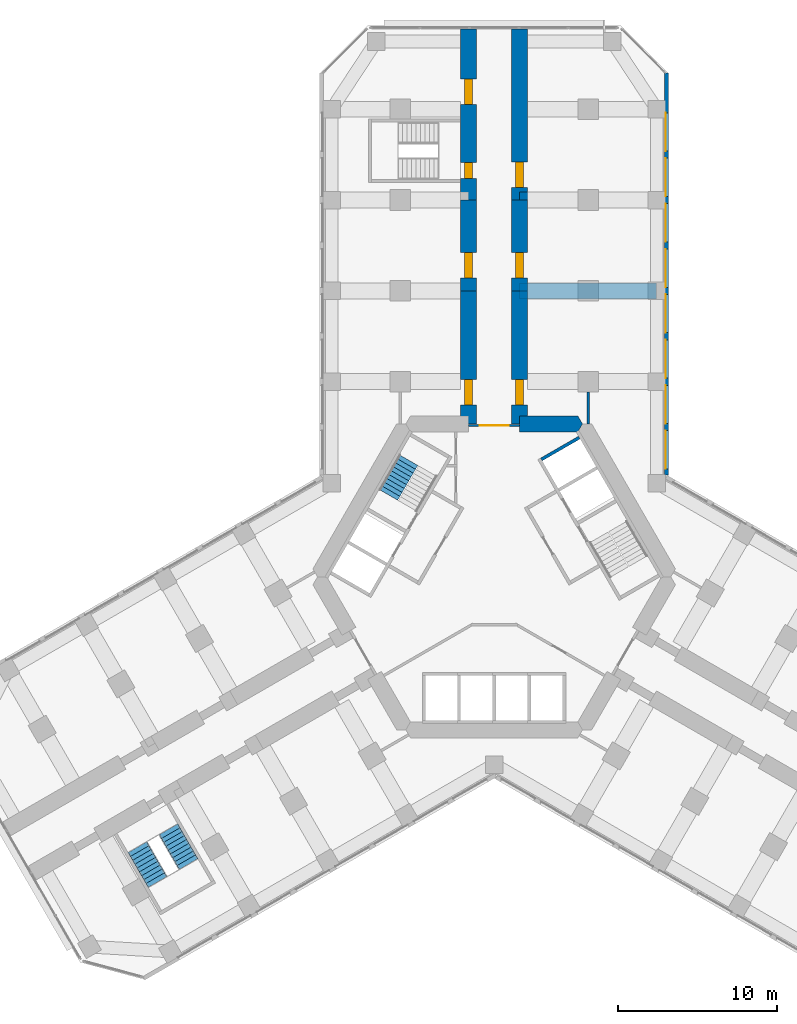
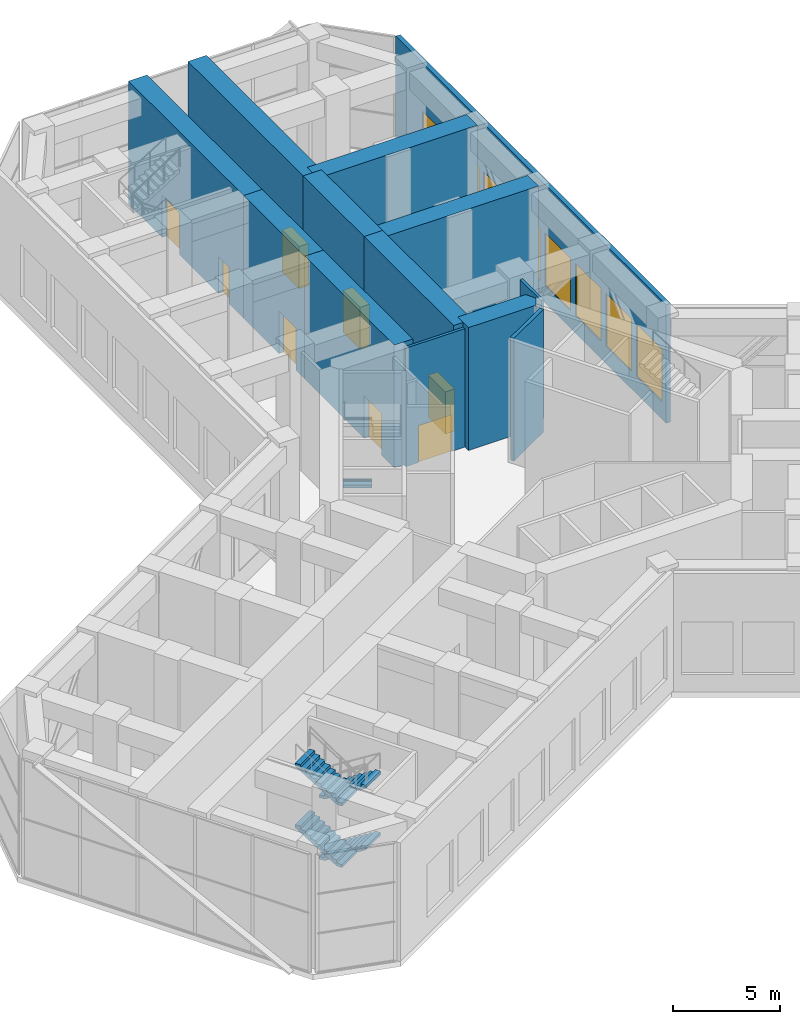
# One storey, part 14 of 17: 13 walls, 8 doors, 8 windows, 5 stair flights, 16 openings, 2 elements without a shape of their own.
"""IFC4 building model written with IfcOpenShell, lengths in metres."""

from ifc_helpers import new_model, si_unit, direction, frame, frame_2d, origin, place, context, subcontext, project, spatial, polyline, rectangle, outline, extrude, material, layer, layer_set, type_object, element, fill, aggregate, save


model = new_model("IFC4")

# Units and contexts
model_context = context("Model", 3, precision=1e-05, world=origin(), true_north=direction((0.0, 1.0)))
body_context = subcontext(model_context, "Body", "Model", "MODEL_VIEW")
ifc_project = project(units=[si_unit("LENGTHUNIT", "METRE"), si_unit("AREAUNIT", "SQUARE_METRE"), si_unit("VOLUMEUNIT", "CUBIC_METRE"), si_unit("PLANEANGLEUNIT", "RADIAN"), si_unit("MASSUNIT", "GRAM", prefix="KILO")], contexts=[model_context])

# Site, building, storey
site_placement = place(None, origin())
site = spatial("IfcSite", under=ifc_project, at=site_placement, CompositionType="ELEMENT")
building_placement = place(site_placement, origin())
building = spatial("IfcBuilding", under=site, at=building_placement, Name="Kosmar Iwan School Tower", CompositionType="ELEMENT")
storey_placement = place(building_placement, frame((0.0, 0.0, 32.39990234375)))
storey = spatial("IfcBuildingStorey", under=building, at=storey_placement, Name="L07", CompositionType="ELEMENT", Elevation=32.39990234375)

# Wall
ifc_material_1 = material(Name="Concrete C50/60", Category="concrete")
ifc_layer_1 = layer(ifc_material_1, 1.0)
ifc_layer_set_1 = layer_set([ifc_layer_1], Name="Core wall 1000")
wall_type_1 = type_object("IfcWallType", Name="Core wall 1000", PredefinedType="SHEAR", material=ifc_layer_set_1)
wall_1_placement = place(storey_placement, origin())
element("IfcWall", 1, at=wall_1_placement, inside=storey, type_object=wall_type_1, Name="Core wall F090a", PredefinedType="SHEAR", context=body_context, shape_type="SweptSolid", body=[
    extrude(outline(polyline([(1.60009765625, 9.10009765625), (5.25390625, 9.10009765625), (5.54248046875, 9.60009765625), (5.25390625, 10.10009765625), (1.60009765625, 10.10009765625), (1.60009765625, 9.10009765625)])), origin(), (0.0, 0.0, 1.0), 7.0),
])

# Wall, opening, door
ifc_material_2 = material(Name="Concrete C50/60", Category="concrete")
ifc_layer_2 = layer(ifc_material_2, 1.0)
ifc_layer_set_2 = layer_set([ifc_layer_2], Name="Corridor buttress wall 1000")
wall_type_2 = type_object("IfcWallType", Name="Corridor buttress wall 1000", PredefinedType="SHEAR", material=ifc_layer_set_2)
wall_2_placement = place(storey_placement, frame((-1.60009765625, 9.60009765625, 0.0), z_axis=(0.0, 0.0, 1.0), x_axis=(0.0, 1.0, 0.0)))
wall_2 = element("IfcWall", 2, at=wall_2_placement, inside=storey, type_object=wall_type_2, Name="Corridor wall AL", PredefinedType="SHEAR", context=body_context, shape_type="SweptSolid", body=[
    extrude(rectangle(XDim=8.349853515625, YDim=1.0, at=frame_2d((4.1748046875, 0.0))), origin(), (0.0, 0.0, 1.0), 7.0),
])
opening_1_placement = place(wall_2_placement, frame((1.199951171875, 0.0, 0.0)))
opening_1 = element("IfcOpeningElement", 3, at=opening_1_placement, cuts=wall_2, Name="Opening D5", PredefinedType="OPENING", context=body_context, shape_type="SweptSolid", body=[
    extrude(rectangle(XDim=1.60009765625, YDim=2.39990234375, at=frame_2d((0.800048828125, 1.199951171875))), frame((0.0, 0.511962890625, 0.0), z_axis=(0.0, -1.0, 0.0), x_axis=(1.0, 0.0, 0.0)), (0.0, 0.0, 1.0), 1.02392578125),
])
ifc_material_3 = material(Name="Steel fire door", Category="steel")
door_type_1 = type_object("IfcDoorType", Name="Plant room door pair 1600x2400", OperationType="DOUBLE_DOOR_SINGLE_SWING", PredefinedType="DOOR", material=ifc_material_3)
door_1_placement = place(opening_1_placement, origin())
door_1 = element("IfcDoor", 4, at=door_1_placement, inside=storey, type_object=door_type_1, Name="Refuge area door L07-AL1", OperationType="DOUBLE_DOOR_SINGLE_SWING", OverallHeight=2.39990234375, OverallWidth=1.60009765625, PredefinedType="DOOR", context=body_context, shape_type="SweptSolid", body=[
    extrude(rectangle(XDim=1.60009765625, YDim=2.39990234375, at=frame_2d((0.800048828125, 1.199951171875))), frame((0.0, 0.25, 0.0), z_axis=(0.0, -1.0, 0.0), x_axis=(1.0, 0.0, 0.0)), (0.0, 0.0, 1.0), 0.5),
])
fill(opening_1, door_1)

wall_3_placement = place(storey_placement, frame((-1.60009765625, 17.949951171875, 0.0), z_axis=(0.0, 0.0, 1.0), x_axis=(0.0, 1.0, 0.0)))
wall_3 = element("IfcWall", 5, at=wall_3_placement, inside=storey, type_object=wall_type_2, Name="Corridor wall AL bay 2", PredefinedType="SHEAR", context=body_context, shape_type="SweptSolid", body=[
    extrude(rectangle(XDim=5.699951171875, YDim=1.0, at=frame_2d((2.85009765625, 0.0))), origin(), (0.0, 0.0, 1.0), 7.0),
])
opening_2_placement = place(wall_3_placement, frame((0.800048828125, 0.0, 0.0)))
opening_2 = element("IfcOpeningElement", 6, at=opening_2_placement, cuts=wall_3, Name="Opening D5", PredefinedType="OPENING", context=body_context, shape_type="SweptSolid", body=[
    extrude(rectangle(XDim=1.60009765625, YDim=2.39990234375, at=frame_2d((0.800048828125, 1.199951171875))), frame((0.0, 0.511962890625, 0.0), z_axis=(0.0, -1.0, 0.0), x_axis=(1.0, 0.0, 0.0)), (0.0, 0.0, 1.0), 1.02392578125),
])
door_2_placement = place(opening_2_placement, origin())
door_2 = element("IfcDoor", 7, at=door_2_placement, inside=storey, type_object=door_type_1, Name="Heat exchanger room door L07-AL2", OperationType="DOUBLE_DOOR_SINGLE_SWING", OverallHeight=2.39990234375, OverallWidth=1.60009765625, PredefinedType="DOOR", context=body_context, shape_type="SweptSolid", body=[
    extrude(rectangle(XDim=1.60009765625, YDim=2.39990234375, at=frame_2d((0.800048828125, 1.199951171875))), frame((0.0, 0.25, 0.0), z_axis=(0.0, -1.0, 0.0), x_axis=(1.0, 0.0, 0.0)), (0.0, 0.0, 1.0), 0.5),
])
fill(opening_2, door_2)

# Wall, openings, doors
wall_4_placement = place(storey_placement, frame((-1.60009765625, 23.64990234375, 0.0), z_axis=(0.0, 0.0, 1.0), x_axis=(0.0, 1.0, 0.0)))
wall_4 = element("IfcWall", 8, at=wall_4_placement, inside=storey, type_object=wall_type_2, Name="Corridor wall AL bay 3", PredefinedType="SHEAR", context=body_context, shape_type="SweptSolid", body=[
    extrude(rectangle(XDim=10.7451171875, YDim=1.0, at=frame_2d((5.37255859375, 0.0))), origin(), (0.0, 0.0, 1.0), 7.0),
])
opening_3_placement = place(wall_4_placement, frame((6.0, 0.0, 0.0)))
opening_3 = element("IfcOpeningElement", 9, at=opening_3_placement, cuts=wall_4, Name="Opening D5", PredefinedType="OPENING", context=body_context, shape_type="SweptSolid", body=[
    extrude(rectangle(XDim=1.60009765625, YDim=2.39990234375, at=frame_2d((0.800048828125, 1.199951171875))), frame((0.0, 0.511962890625, 0.0), z_axis=(0.0, -1.0, 0.0), x_axis=(1.0, 0.0, 0.0)), (0.0, 0.0, 1.0), 1.02392578125),
])
opening_4_placement = place(wall_4_placement, frame((1.35009765625, 0.0, 0.0)))
opening_4 = element("IfcOpeningElement", 10, at=opening_4_placement, cuts=wall_4, Name="Opening D6", PredefinedType="OPENING", context=body_context, shape_type="SweptSolid", body=[
    extrude(rectangle(XDim=1.0, YDim=2.10009765625, at=frame_2d((0.5, 1.050048828125))), frame((0.0, 0.511962890625, 0.0), z_axis=(0.0, -1.0, 0.0), x_axis=(1.0, 0.0, 0.0)), (0.0, 0.0, 1.0), 1.02392578125),
])
door_3_placement = place(opening_3_placement, origin())
door_3 = element("IfcDoor", 11, at=door_3_placement, inside=storey, type_object=door_type_1, Name="Pump room door L07-AL3", OperationType="DOUBLE_DOOR_SINGLE_SWING", OverallHeight=2.39990234375, OverallWidth=1.60009765625, PredefinedType="DOOR", context=body_context, shape_type="SweptSolid", body=[
    extrude(rectangle(XDim=1.60009765625, YDim=2.39990234375, at=frame_2d((0.800048828125, 1.199951171875))), frame((0.0, 0.25, 0.0), z_axis=(0.0, -1.0, 0.0), x_axis=(1.0, 0.0, 0.0)), (0.0, 0.0, 1.0), 0.5),
])
fill(opening_3, door_3)
ifc_material_4 = material(Name="Steel fire door", Category="steel")
door_type_2 = type_object("IfcDoorType", Name="Stair door 1000x2100", OperationType="SINGLE_SWING_LEFT", PredefinedType="DOOR", material=ifc_material_4)
door_4_placement = place(opening_4_placement, origin())
door_4 = element("IfcDoor", 12, at=door_4_placement, inside=storey, type_object=door_type_2, Name="Stair WS1 door L07", OperationType="SINGLE_SWING_LEFT", OverallHeight=2.10009765625, OverallWidth=1.0, PredefinedType="DOOR", context=body_context, shape_type="SweptSolid", body=[
    extrude(rectangle(XDim=1.0, YDim=2.10009765625, at=frame_2d((0.5, 1.050048828125))), frame((0.0, 0.25, 0.0), z_axis=(0.0, -1.0, 0.0), x_axis=(1.0, 0.0, 0.0)), (0.0, 0.0, 1.0), 0.5),
])
fill(opening_4, door_4)

# Wall, opening, door
wall_5_placement = place(storey_placement, frame((1.60009765625, 9.60009765625, 0.0), z_axis=(0.0, 0.0, 1.0), x_axis=(0.0, 1.0, 0.0)))
wall_5 = element("IfcWall", 13, at=wall_5_placement, inside=storey, type_object=wall_type_2, Name="Corridor wall AR", PredefinedType="SHEAR", context=body_context, shape_type="SweptSolid", body=[
    extrude(rectangle(XDim=8.349853515625, YDim=1.0, at=frame_2d((4.1748046875, 0.0))), origin(), (0.0, 0.0, 1.0), 7.0),
])
opening_5_placement = place(wall_5_placement, frame((1.199951171875, 0.0, 0.0)))
opening_5 = element("IfcOpeningElement", 14, at=opening_5_placement, cuts=wall_5, Name="Opening D5", PredefinedType="OPENING", context=body_context, shape_type="SweptSolid", body=[
    extrude(rectangle(XDim=1.60009765625, YDim=2.39990234375, at=frame_2d((0.800048828125, 1.199951171875))), frame((0.0, 0.511962890625, 0.0), z_axis=(0.0, -1.0, 0.0), x_axis=(1.0, 0.0, 0.0)), (0.0, 0.0, 1.0), 1.02392578125),
])
door_5_placement = place(opening_5_placement, origin())
door_5 = element("IfcDoor", 15, at=door_5_placement, inside=storey, type_object=door_type_1, Name="Refuge area door L07-AR1", OperationType="DOUBLE_DOOR_SINGLE_SWING", OverallHeight=2.39990234375, OverallWidth=1.60009765625, PredefinedType="DOOR", context=body_context, shape_type="SweptSolid", body=[
    extrude(rectangle(XDim=1.60009765625, YDim=2.39990234375, at=frame_2d((0.800048828125, 1.199951171875))), frame((0.0, 0.25, 0.0), z_axis=(0.0, -1.0, 0.0), x_axis=(1.0, 0.0, 0.0)), (0.0, 0.0, 1.0), 0.5),
])
fill(opening_5, door_5)

wall_6_placement = place(storey_placement, frame((1.60009765625, 17.949951171875, 0.0), z_axis=(0.0, 0.0, 1.0), x_axis=(0.0, 1.0, 0.0)))
wall_6 = element("IfcWall", 16, at=wall_6_placement, inside=storey, type_object=wall_type_2, Name="Corridor wall AR bay 2", PredefinedType="SHEAR", context=body_context, shape_type="SweptSolid", body=[
    extrude(rectangle(XDim=5.699951171875, YDim=1.0, at=frame_2d((2.85009765625, 0.0))), origin(), (0.0, 0.0, 1.0), 7.0),
])
opening_6_placement = place(wall_6_placement, frame((0.800048828125, 0.0, 0.0)))
opening_6 = element("IfcOpeningElement", 17, at=opening_6_placement, cuts=wall_6, Name="Opening D5", PredefinedType="OPENING", context=body_context, shape_type="SweptSolid", body=[
    extrude(rectangle(XDim=1.60009765625, YDim=2.39990234375, at=frame_2d((0.800048828125, 1.199951171875))), frame((0.0, 0.511962890625, 0.0), z_axis=(0.0, -1.0, 0.0), x_axis=(1.0, 0.0, 0.0)), (0.0, 0.0, 1.0), 1.02392578125),
])
door_6_placement = place(opening_6_placement, origin())
door_6 = element("IfcDoor", 18, at=door_6_placement, inside=storey, type_object=door_type_1, Name="Heat exchanger room door L07-AR2", OperationType="DOUBLE_DOOR_SINGLE_SWING", OverallHeight=2.39990234375, OverallWidth=1.60009765625, PredefinedType="DOOR", context=body_context, shape_type="SweptSolid", body=[
    extrude(rectangle(XDim=1.60009765625, YDim=2.39990234375, at=frame_2d((0.800048828125, 1.199951171875))), frame((0.0, 0.25, 0.0), z_axis=(0.0, -1.0, 0.0), x_axis=(1.0, 0.0, 0.0)), (0.0, 0.0, 1.0), 0.5),
])
fill(opening_6, door_6)

wall_7_placement = place(storey_placement, frame((1.60009765625, 23.64990234375, 0.0), z_axis=(0.0, 0.0, 1.0), x_axis=(0.0, 1.0, 0.0)))
wall_7 = element("IfcWall", 19, at=wall_7_placement, inside=storey, type_object=wall_type_2, Name="Corridor wall AR bay 3", PredefinedType="SHEAR", context=body_context, shape_type="SweptSolid", body=[
    extrude(rectangle(XDim=10.7451171875, YDim=1.0, at=frame_2d((5.37255859375, 0.0))), origin(), (0.0, 0.0, 1.0), 7.0),
])
opening_7_placement = place(wall_7_placement, frame((0.800048828125, 0.0, 0.0)))
opening_7 = element("IfcOpeningElement", 20, at=opening_7_placement, cuts=wall_7, Name="Opening D5", PredefinedType="OPENING", context=body_context, shape_type="SweptSolid", body=[
    extrude(rectangle(XDim=1.60009765625, YDim=2.39990234375, at=frame_2d((0.800048828125, 1.199951171875))), frame((0.0, 0.511962890625, 0.0), z_axis=(0.0, -1.0, 0.0), x_axis=(1.0, 0.0, 0.0)), (0.0, 0.0, 1.0), 1.02392578125),
])
door_7_placement = place(opening_7_placement, origin())
door_7 = element("IfcDoor", 21, at=door_7_placement, inside=storey, type_object=door_type_1, Name="Pump room door L07-AR3", OperationType="DOUBLE_DOOR_SINGLE_SWING", OverallHeight=2.39990234375, OverallWidth=1.60009765625, PredefinedType="DOOR", context=body_context, shape_type="SweptSolid", body=[
    extrude(rectangle(XDim=1.60009765625, YDim=2.39990234375, at=frame_2d((0.800048828125, 1.199951171875))), frame((0.0, 0.25, 0.0), z_axis=(0.0, -1.0, 0.0), x_axis=(1.0, 0.0, 0.0)), (0.0, 0.0, 1.0), 0.5),
])
fill(opening_7, door_7)

ifc_material_5 = material(Name="Steel framed glazed screen", Category="steel")
ifc_layer_3 = layer(ifc_material_5, 0.14990234375)
ifc_layer_set_3 = layer_set([ifc_layer_3], Name="Corridor screen wall 150")
wall_type_3 = type_object("IfcWallType", Name="Corridor screen wall 150", PredefinedType="PARTITIONING", material=ifc_layer_set_3)
wall_8_placement = place(storey_placement, frame((1.60009765625, 9.5, 0.0), z_axis=(0.0, 0.0, 1.0), x_axis=(-1.0, 0.0, 0.0)))
wall_8 = element("IfcWall", 22, at=wall_8_placement, inside=storey, type_object=wall_type_3, Name="Corridor screen A L07", PredefinedType="PARTITIONING", context=body_context, shape_type="SweptSolid", body=[
    extrude(rectangle(XDim=3.2001953125, YDim=0.14990234375, at=frame_2d((1.60009765625, 0.0))), origin(), (0.0, 0.0, 1.0), 6.75),
])
opening_8_placement = place(wall_8_placement, frame((0.699951171875, 0.0, 0.0)))
opening_8 = element("IfcOpeningElement", 23, at=opening_8_placement, cuts=wall_8, Name="Opening D9", PredefinedType="OPENING", context=body_context, shape_type="SweptSolid", body=[
    extrude(rectangle(XDim=1.800048828125, YDim=2.10009765625, at=frame_2d((0.89990234375, 1.050048828125))), frame((0.0, 0.0869140625, 0.0), z_axis=(0.0, -1.0, 0.0), x_axis=(1.0, 0.0, 0.0)), (0.0, 0.0, 1.0), 0.173828125),
])
ifc_material_6 = material(Name="Steel framed glazed smoke door", Category="steel")
door_type_3 = type_object("IfcDoorType", Name="Corridor smoke door pair 1800x2100", OperationType="DOUBLE_DOOR_DOUBLE_SWING", PredefinedType="DOOR", material=ifc_material_6)
door_8_placement = place(opening_8_placement, origin())
door_8 = element("IfcDoor", 24, at=door_8_placement, inside=storey, type_object=door_type_3, Name="Corridor doors A L07", OperationType="DOUBLE_DOOR_DOUBLE_SWING", OverallHeight=2.10009765625, OverallWidth=1.800048828125, PredefinedType="DOOR", context=body_context, shape_type="SweptSolid", body=[
    extrude(rectangle(XDim=1.800048828125, YDim=2.10009765625, at=frame_2d((0.89990234375, 1.050048828125))), frame((0.0, 0.02490234375, 0.0), z_axis=(0.0, -1.0, 0.0), x_axis=(1.0, 0.0, 0.0)), (0.0, 0.0, 1.0), 0.050048828125),
])
fill(opening_8, door_8)

# Wall, openings, windows
ifc_material_7 = material(Name="Black aluminium rainscreen on insulated framing", Category="aluminium")
ifc_layer_4 = layer(ifc_material_7, 0.25)
ifc_layer_set_4 = layer_set([ifc_layer_4], Name="External wall rainscreen 250")
wall_type_4 = type_object("IfcWallType", Name="External wall rainscreen 250", PredefinedType="SOLIDWALL", material=ifc_layer_set_4)
wall_9_placement = place(storey_placement, frame((10.824951171875, 6.408935546875, 0.0), z_axis=(0.0, 0.0, 1.0), x_axis=(0.0, 1.0, 0.0)))
wall_9 = element("IfcWall", 25, at=wall_9_placement, inside=storey, type_object=wall_type_4, Name="External wall AR L07", PredefinedType="SOLIDWALL", context=body_context, shape_type="SweptSolid", body=[
    extrude(rectangle(XDim=25.226318359375, YDim=0.25, at=frame_2d((12.61328125, 0.0))), origin(), (0.0, 0.0, 1.0), 6.75),
])
opening_9_placement = place(wall_9_placement, frame((0.365966796875, 0.0, 1.0)))
opening_9 = element("IfcOpeningElement", 26, at=opening_9_placement, cuts=wall_9, Name="Opening LV1", PredefinedType="OPENING", context=body_context, shape_type="SweptSolid", body=[
    extrude(rectangle(XDim=2.39990234375, YDim=3.0, at=frame_2d((1.199951171875, 1.5))), frame((0.0, 0.136962890625, 0.0), z_axis=(0.0, -1.0, 0.0), x_axis=(1.0, 0.0, 0.0)), (0.0, 0.0, 1.0), 0.27392578125),
])
opening_10_placement = place(wall_9_placement, frame((3.216064453125, 0.0, 1.0)))
opening_10 = element("IfcOpeningElement", 27, at=opening_10_placement, cuts=wall_9, Name="Opening LV1", PredefinedType="OPENING", context=body_context, shape_type="SweptSolid", body=[
    extrude(rectangle(XDim=2.39990234375, YDim=3.0, at=frame_2d((1.199951171875, 1.5))), frame((0.0, 0.136962890625, 0.0), z_axis=(0.0, -1.0, 0.0), x_axis=(1.0, 0.0, 0.0)), (0.0, 0.0, 1.0), 0.27392578125),
])
opening_11_placement = place(wall_9_placement, frame((6.06591796875, 0.0, 1.0)))
opening_11 = element("IfcOpeningElement", 28, at=opening_11_placement, cuts=wall_9, Name="Opening LV1", PredefinedType="OPENING", context=body_context, shape_type="SweptSolid", body=[
    extrude(rectangle(XDim=2.39990234375, YDim=3.0, at=frame_2d((1.199951171875, 1.5))), frame((0.0, 0.136962890625, 0.0), z_axis=(0.0, -1.0, 0.0), x_axis=(1.0, 0.0, 0.0)), (0.0, 0.0, 1.0), 0.27392578125),
])
opening_12_placement = place(wall_9_placement, frame((8.916015625, 0.0, 1.0)))
opening_12 = element("IfcOpeningElement", 29, at=opening_12_placement, cuts=wall_9, Name="Opening LV1", PredefinedType="OPENING", context=body_context, shape_type="SweptSolid", body=[
    extrude(rectangle(XDim=2.39990234375, YDim=3.0, at=frame_2d((1.199951171875, 1.5))), frame((0.0, 0.136962890625, 0.0), z_axis=(0.0, -1.0, 0.0), x_axis=(1.0, 0.0, 0.0)), (0.0, 0.0, 1.0), 0.27392578125),
])
opening_13_placement = place(wall_9_placement, frame((11.76611328125, 0.0, 1.0)))
opening_13 = element("IfcOpeningElement", 30, at=opening_13_placement, cuts=wall_9, Name="Opening LV1", PredefinedType="OPENING", context=body_context, shape_type="SweptSolid", body=[
    extrude(rectangle(XDim=2.39990234375, YDim=3.0, at=frame_2d((1.199951171875, 1.5))), frame((0.0, 0.136962890625, 0.0), z_axis=(0.0, -1.0, 0.0), x_axis=(1.0, 0.0, 0.0)), (0.0, 0.0, 1.0), 0.27392578125),
])
opening_14_placement = place(wall_9_placement, frame((14.615966796875, 0.0, 1.0)))
opening_14 = element("IfcOpeningElement", 31, at=opening_14_placement, cuts=wall_9, Name="Opening LV1", PredefinedType="OPENING", context=body_context, shape_type="SweptSolid", body=[
    extrude(rectangle(XDim=2.39990234375, YDim=3.0, at=frame_2d((1.199951171875, 1.5))), frame((0.0, 0.136962890625, 0.0), z_axis=(0.0, -1.0, 0.0), x_axis=(1.0, 0.0, 0.0)), (0.0, 0.0, 1.0), 0.27392578125),
])
opening_15_placement = place(wall_9_placement, frame((17.466064453125, 0.0, 1.0)))
opening_15 = element("IfcOpeningElement", 32, at=opening_15_placement, cuts=wall_9, Name="Opening LV1", PredefinedType="OPENING", context=body_context, shape_type="SweptSolid", body=[
    extrude(rectangle(XDim=2.39990234375, YDim=3.0, at=frame_2d((1.199951171875, 1.5))), frame((0.0, 0.136962890625, 0.0), z_axis=(0.0, -1.0, 0.0), x_axis=(1.0, 0.0, 0.0)), (0.0, 0.0, 1.0), 0.27392578125),
])
opening_16_placement = place(wall_9_placement, frame((20.31591796875, 0.0, 1.0)))
opening_16 = element("IfcOpeningElement", 33, at=opening_16_placement, cuts=wall_9, Name="Opening LV1", PredefinedType="OPENING", context=body_context, shape_type="SweptSolid", body=[
    extrude(rectangle(XDim=2.39990234375, YDim=3.0, at=frame_2d((1.199951171875, 1.5))), frame((0.0, 0.136962890625, 0.0), z_axis=(0.0, -1.0, 0.0), x_axis=(1.0, 0.0, 0.0)), (0.0, 0.0, 1.0), 0.27392578125),
])
ifc_material_8 = material(Name="Black aluminium louvre", Category="aluminium")
window_type = type_object("IfcWindowType", Name="Plant louvre 2400x3000", PartitioningType="SINGLE_PANEL", PredefinedType="USERDEFINED", material=ifc_material_8)
window_1_placement = place(opening_9_placement, origin())
window_1 = element("IfcWindow", 34, at=window_1_placement, inside=storey, type_object=window_type, Name="Window AR L07 -1", ObjectType="LOUVRE", OverallHeight=3.0, OverallWidth=2.39990234375, PartitioningType="SINGLE_PANEL", PredefinedType="USERDEFINED", context=body_context, shape_type="SweptSolid", body=[
    extrude(rectangle(XDim=2.39990234375, YDim=3.0, at=frame_2d((1.199951171875, 1.5))), frame((0.0, 0.070068359375, 0.0), z_axis=(0.0, -1.0, 0.0), x_axis=(1.0, 0.0, 0.0)), (0.0, 0.0, 1.0), 0.02001953125),
])
fill(opening_9, window_1)
window_2_placement = place(opening_10_placement, origin())
window_2 = element("IfcWindow", 35, at=window_2_placement, inside=storey, type_object=window_type, Name="Window AR L07 0", ObjectType="LOUVRE", OverallHeight=3.0, OverallWidth=2.39990234375, PartitioningType="SINGLE_PANEL", PredefinedType="USERDEFINED", context=body_context, shape_type="SweptSolid", body=[
    extrude(rectangle(XDim=2.39990234375, YDim=3.0, at=frame_2d((1.199951171875, 1.5))), frame((0.0, 0.070068359375, 0.0), z_axis=(0.0, -1.0, 0.0), x_axis=(1.0, 0.0, 0.0)), (0.0, 0.0, 1.0), 0.02001953125),
])
fill(opening_10, window_2)
window_3_placement = place(opening_11_placement, origin())
window_3 = element("IfcWindow", 36, at=window_3_placement, inside=storey, type_object=window_type, Name="Window AR L07 1", ObjectType="LOUVRE", OverallHeight=3.0, OverallWidth=2.39990234375, PartitioningType="SINGLE_PANEL", PredefinedType="USERDEFINED", context=body_context, shape_type="SweptSolid", body=[
    extrude(rectangle(XDim=2.39990234375, YDim=3.0, at=frame_2d((1.199951171875, 1.5))), frame((0.0, 0.070068359375, 0.0), z_axis=(0.0, -1.0, 0.0), x_axis=(1.0, 0.0, 0.0)), (0.0, 0.0, 1.0), 0.02001953125),
])
fill(opening_11, window_3)
window_4_placement = place(opening_12_placement, origin())
window_4 = element("IfcWindow", 37, at=window_4_placement, inside=storey, type_object=window_type, Name="Window AR L07 2", ObjectType="LOUVRE", OverallHeight=3.0, OverallWidth=2.39990234375, PartitioningType="SINGLE_PANEL", PredefinedType="USERDEFINED", context=body_context, shape_type="SweptSolid", body=[
    extrude(rectangle(XDim=2.39990234375, YDim=3.0, at=frame_2d((1.199951171875, 1.5))), frame((0.0, 0.070068359375, 0.0), z_axis=(0.0, -1.0, 0.0), x_axis=(1.0, 0.0, 0.0)), (0.0, 0.0, 1.0), 0.02001953125),
])
fill(opening_12, window_4)
window_5_placement = place(opening_13_placement, origin())
window_5 = element("IfcWindow", 38, at=window_5_placement, inside=storey, type_object=window_type, Name="Window AR L07 3", ObjectType="LOUVRE", OverallHeight=3.0, OverallWidth=2.39990234375, PartitioningType="SINGLE_PANEL", PredefinedType="USERDEFINED", context=body_context, shape_type="SweptSolid", body=[
    extrude(rectangle(XDim=2.39990234375, YDim=3.0, at=frame_2d((1.199951171875, 1.5))), frame((0.0, 0.070068359375, 0.0), z_axis=(0.0, -1.0, 0.0), x_axis=(1.0, 0.0, 0.0)), (0.0, 0.0, 1.0), 0.02001953125),
])
fill(opening_13, window_5)
window_6_placement = place(opening_14_placement, origin())
window_6 = element("IfcWindow", 39, at=window_6_placement, inside=storey, type_object=window_type, Name="Window AR L07 4", ObjectType="LOUVRE", OverallHeight=3.0, OverallWidth=2.39990234375, PartitioningType="SINGLE_PANEL", PredefinedType="USERDEFINED", context=body_context, shape_type="SweptSolid", body=[
    extrude(rectangle(XDim=2.39990234375, YDim=3.0, at=frame_2d((1.199951171875, 1.5))), frame((0.0, 0.070068359375, 0.0), z_axis=(0.0, -1.0, 0.0), x_axis=(1.0, 0.0, 0.0)), (0.0, 0.0, 1.0), 0.02001953125),
])
fill(opening_14, window_6)
window_7_placement = place(opening_15_placement, origin())
window_7 = element("IfcWindow", 40, at=window_7_placement, inside=storey, type_object=window_type, Name="Window AR L07 5", ObjectType="LOUVRE", OverallHeight=3.0, OverallWidth=2.39990234375, PartitioningType="SINGLE_PANEL", PredefinedType="USERDEFINED", context=body_context, shape_type="SweptSolid", body=[
    extrude(rectangle(XDim=2.39990234375, YDim=3.0, at=frame_2d((1.199951171875, 1.5))), frame((0.0, 0.070068359375, 0.0), z_axis=(0.0, -1.0, 0.0), x_axis=(1.0, 0.0, 0.0)), (0.0, 0.0, 1.0), 0.02001953125),
])
fill(opening_15, window_7)
window_8_placement = place(opening_16_placement, origin())
window_8 = element("IfcWindow", 41, at=window_8_placement, inside=storey, type_object=window_type, Name="Window AR L07 6", ObjectType="LOUVRE", OverallHeight=3.0, OverallWidth=2.39990234375, PartitioningType="SINGLE_PANEL", PredefinedType="USERDEFINED", context=body_context, shape_type="SweptSolid", body=[
    extrude(rectangle(XDim=2.39990234375, YDim=3.0, at=frame_2d((1.199951171875, 1.5))), frame((0.0, 0.070068359375, 0.0), z_axis=(0.0, -1.0, 0.0), x_axis=(1.0, 0.0, 0.0)), (0.0, 0.0, 1.0), 0.02001953125),
])
fill(opening_16, window_8)

# Walls
ifc_material_9 = material(Name="Concrete C50/60", Category="concrete")
ifc_layer_5 = layer(ifc_material_9, 0.199951171875)
ifc_layer_set_5 = layer_set([ifc_layer_5], Name="Lift shaft wall 200")
wall_type_5 = type_object("IfcWallType", Name="Lift shaft wall 200", PredefinedType="SHEAR", material=ifc_layer_set_5)
wall_10_placement = place(storey_placement, frame((2.962646484375, 7.368408203125, 0.0), z_axis=(0.0, 0.0, 1.0), x_axis=(0.866027397988, 0.499996545922, 0.0)))
element("IfcWall", 42, at=wall_10_placement, inside=storey, type_object=wall_type_5, Name="Lift shaft wall AC 2", PredefinedType="SHEAR", context=body_context, shape_type="SweptSolid", body=[
    extrude(rectangle(XDim=2.75, YDim=0.199951171875, at=frame_2d((1.375, 0.0))), origin(), (0.0, 0.0, 1.0), 7.0),
])
ifc_material_10 = material(Name="Concrete C50/60", Category="concrete")
ifc_layer_6 = layer(ifc_material_10, 1.0)
ifc_layer_set_6 = layer_set([ifc_layer_6], Name="Outrigger wall 1000")
wall_type_6 = type_object("IfcWallType", Name="Outrigger wall 1000", PredefinedType="SHEAR", material=ifc_layer_set_6)
for number, where, z_axis, x_axis, name in (
    (43, (1.60009765625, 17.949951171875, 0.0), (0.0, 0.0, 1.0), (1.0, 0.0, 0.0), "Outrigger wall AR"),
    (44, (1.60009765625, 23.64990234375, 0.0), (0.0, 0.0, 1.0), (1.0, 0.0, 0.0), "Outrigger wall AR"),
):
    element("IfcWall", number, at=place(storey_placement, frame(where, z_axis=z_axis, x_axis=x_axis)), inside=storey, type_object=wall_type_6, Name=name, PredefinedType="SHEAR", context=body_context, shape_type="SweptSolid", body=[
        extrude(rectangle(XDim=8.599853515625, YDim=1.0, at=frame_2d((4.2998046875, 0.0))), origin(), (0.0, 0.0, 1.0), 7.0),
    ])
ifc_material_11 = material(Name="Gypsum board on steel studs", Category="steel")
ifc_layer_7 = layer(ifc_material_11, 0.14990234375)
ifc_layer_set_7 = layer_set([ifc_layer_7], Name="School partition 150")
wall_type_7 = type_object("IfcWallType", Name="School partition 150", PredefinedType="PARTITIONING", material=ifc_layer_set_7)
wall_11_placement = place(storey_placement, frame((5.89990234375, 9.60009765625, 0.0), z_axis=(0.0, 0.0, 1.0), x_axis=(0.0, 1.0, 0.0)))
element("IfcWall", 45, at=wall_11_placement, inside=storey, type_object=wall_type_7, Name="Partition L07-AR-NB", PredefinedType="PARTITIONING", context=body_context, shape_type="SweptSolid", body=[
    extrude(rectangle(XDim=2.0, YDim=0.14990234375, at=frame_2d((1.0, 0.0))), origin(), (0.0, 0.0, 1.0), 6.75),
])

# Stair, stair flights
ifc_material_12 = material(Name="Concrete C35/45", Category="concrete")
stair_type_1 = type_object("IfcStairType", Name="Escape stair 3600", PredefinedType="HALF_TURN_STAIR", material=ifc_material_12)
stair_1_placement = place(storey_placement, origin())
stair_1 = element("IfcStair", 46, at=stair_1_placement, inside=storey, type_object=stair_type_1, Name="Stair WS2 L07", PredefinedType="HALF_TURN_STAIR")
ifc_material_13 = material(Name="Concrete C35/45", Category="concrete")
stair_flight_type_1 = type_object("IfcStairFlightType", Name="Escape stair flight 1350", PredefinedType="STRAIGHT", material=ifc_material_13)
stair_flight_1_placement = place(storey_placement, frame((-20.44189453125, -15.843505859375, 0.0), z_axis=(0.0, 0.0, 1.0), x_axis=(0.5, -0.866025403784, 0.0)))
stair_flight_1 = element("IfcStairFlight", 47, at=stair_flight_1_placement, type_object=stair_flight_type_1, Name="WS2 flight 1", NumberOfRisers=10, NumberOfTreads=9, PredefinedType="STRAIGHT", RiserHeight=0.175, TreadLength=0.28, context=body_context, shape_type="SweptSolid", body=[
    extrude(outline(polyline([(0.0, 0.0), (0.0, 0.175048828125), (0.280029296875, 0.175048828125), (0.280029296875, 0.35009765625), (0.56005859375, 0.35009765625), (0.56005859375, 0.52490234375), (0.840087890625, 0.52490234375), (0.840087890625, 0.699951171875), (1.1201171875, 0.699951171875), (1.1201171875, 0.875), (1.39990234375, 0.875), (1.39990234375, 1.050048828125), (1.679931640625, 1.050048828125), (1.679931640625, 1.22509765625), (1.9599609375, 1.22509765625), (1.9599609375, 1.39990234375), (2.239990234375, 1.39990234375), (2.239990234375, 1.574951171875), (2.52001953125, 1.574951171875), (2.52001953125, 1.75), (2.52001953125, 1.398193359375), (0.28271484375, 0.0), (0.0, 0.0)])), frame((0.0, 0.675048828125, 0.0), z_axis=(0.0, -1.0, 0.0), x_axis=(1.0, 0.0, 0.0)), (0.0, 0.0, 1.0), 1.35009765625),
])
stair_flight_2_placement = place(storey_placement, frame((-21.13037109375, -19.15087890625, 1.75), z_axis=(0.0, 0.0, 1.0), x_axis=(-0.5, 0.866025403784, 0.0)))
stair_flight_2 = element("IfcStairFlight", 48, at=stair_flight_2_placement, type_object=stair_flight_type_1, Name="WS2 flight 2", NumberOfRisers=10, NumberOfTreads=9, PredefinedType="STRAIGHT", RiserHeight=0.175, TreadLength=0.28, context=body_context, shape_type="SweptSolid", body=[
    extrude(outline(polyline([(0.0, 0.0), (0.0, 0.175048828125), (0.280029296875, 0.175048828125), (0.280029296875, 0.35009765625), (0.56005859375, 0.35009765625), (0.56005859375, 0.52490234375), (0.840087890625, 0.52490234375), (0.840087890625, 0.699951171875), (1.1201171875, 0.699951171875), (1.1201171875, 0.875), (1.39990234375, 0.875), (1.39990234375, 1.050048828125), (1.679931640625, 1.050048828125), (1.679931640625, 1.22509765625), (1.9599609375, 1.22509765625), (1.9599609375, 1.39990234375), (2.239990234375, 1.39990234375), (2.239990234375, 1.574951171875), (2.52001953125, 1.574951171875), (2.52001953125, 1.75), (2.52001953125, 1.398193359375), (0.28271484375, 0.0), (0.0, 0.0)])), frame((0.0, 0.675048828125, 0.0), z_axis=(0.0, -1.0, 0.0), x_axis=(1.0, 0.0, 0.0)), (0.0, 0.0, 1.0), 1.35009765625),
])
stair_flight_3_placement = place(storey_placement, frame((-20.44189453125, -15.843505859375, 3.5), z_axis=(0.0, 0.0, 1.0), x_axis=(0.5, -0.866025403784, 0.0)))
stair_flight_3 = element("IfcStairFlight", 49, at=stair_flight_3_placement, type_object=stair_flight_type_1, Name="WS2 flight 3", NumberOfRisers=10, NumberOfTreads=9, PredefinedType="STRAIGHT", RiserHeight=0.175, TreadLength=0.28, context=body_context, shape_type="SweptSolid", body=[
    extrude(outline(polyline([(0.0, 0.0), (0.0, 0.175048828125), (0.280029296875, 0.175048828125), (0.280029296875, 0.35009765625), (0.56005859375, 0.35009765625), (0.56005859375, 0.52490234375), (0.840087890625, 0.52490234375), (0.840087890625, 0.699951171875), (1.1201171875, 0.699951171875), (1.1201171875, 0.875), (1.39990234375, 0.875), (1.39990234375, 1.050048828125), (1.679931640625, 1.050048828125), (1.679931640625, 1.22509765625), (1.9599609375, 1.22509765625), (1.9599609375, 1.39990234375), (2.239990234375, 1.39990234375), (2.239990234375, 1.574951171875), (2.52001953125, 1.574951171875), (2.52001953125, 1.75), (2.52001953125, 1.398193359375), (0.28271484375, 0.0), (0.0, 0.0)])), frame((0.0, 0.675048828125, 0.0), z_axis=(0.0, -1.0, 0.0), x_axis=(1.0, 0.0, 0.0)), (0.0, 0.0, 1.0), 1.35009765625),
])
stair_flight_4_placement = place(storey_placement, frame((-21.13037109375, -19.15087890625, 5.25), z_axis=(0.0, 0.0, 1.0), x_axis=(-0.5, 0.866025403784, 0.0)))
stair_flight_4 = element("IfcStairFlight", 50, at=stair_flight_4_placement, type_object=stair_flight_type_1, Name="WS2 flight 4", NumberOfRisers=10, NumberOfTreads=9, PredefinedType="STRAIGHT", RiserHeight=0.175, TreadLength=0.28, context=body_context, shape_type="SweptSolid", body=[
    extrude(outline(polyline([(0.0, 0.0), (0.0, 0.175048828125), (0.280029296875, 0.175048828125), (0.280029296875, 0.35009765625), (0.56005859375, 0.35009765625), (0.56005859375, 0.52490234375), (0.840087890625, 0.52490234375), (0.840087890625, 0.699951171875), (1.1201171875, 0.699951171875), (1.1201171875, 0.875), (1.39990234375, 0.875), (1.39990234375, 1.050048828125), (1.679931640625, 1.050048828125), (1.679931640625, 1.22509765625), (1.9599609375, 1.22509765625), (1.9599609375, 1.39990234375), (2.239990234375, 1.39990234375), (2.239990234375, 1.574951171875), (2.52001953125, 1.574951171875), (2.52001953125, 1.75), (2.52001953125, 1.398193359375), (0.28271484375, 0.0), (0.0, 0.0)])), frame((0.0, 0.675048828125, 0.0), z_axis=(0.0, -1.0, 0.0), x_axis=(1.0, 0.0, 0.0)), (0.0, 0.0, 1.0), 1.35009765625),
])
aggregate(stair_1, [stair_flight_1, stair_flight_2, stair_flight_3, stair_flight_4])

# Stair, stair flight
ifc_material_14 = material(Name="Concrete C35/45", Category="concrete")
stair_type_2 = type_object("IfcStairType", Name="Core stair 2750", PredefinedType="HALF_TURN_STAIR", material=ifc_material_14)
stair_2_placement = place(storey_placement, origin())
stair_2 = element("IfcStair", 51, at=stair_2_placement, inside=storey, type_object=stair_type_2, Name="Stair ST2 L07", PredefinedType="HALF_TURN_STAIR")
ifc_material_15 = material(Name="Concrete C35/45", Category="concrete")
stair_flight_type_2 = type_object("IfcStairFlightType", Name="Stair flight 1350", PredefinedType="STRAIGHT", material=ifc_material_15)
stair_flight_5_placement = place(storey_placement, frame((-5.379638671875, 7.33203125, 1.75), z_axis=(0.0, 0.0, 1.0), x_axis=(-0.5, -0.866025403784, 0.0)))
stair_flight_5 = element("IfcStairFlight", 52, at=stair_flight_5_placement, type_object=stair_flight_type_2, Name="ST2 flight 2", NumberOfRisers=10, NumberOfTreads=9, PredefinedType="STRAIGHT", RiserHeight=0.175, TreadLength=0.28, context=body_context, shape_type="SweptSolid", body=[
    extrude(outline(polyline([(0.0, 0.0), (0.0, 0.175048828125), (0.280029296875, 0.175048828125), (0.280029296875, 0.35009765625), (0.56005859375, 0.35009765625), (0.56005859375, 0.52490234375), (0.840087890625, 0.52490234375), (0.840087890625, 0.699951171875), (1.1201171875, 0.699951171875), (1.1201171875, 0.875), (1.39990234375, 0.875), (1.39990234375, 1.050048828125), (1.679931640625, 1.050048828125), (1.679931640625, 1.22509765625), (1.9599609375, 1.22509765625), (1.9599609375, 1.39990234375), (2.239990234375, 1.39990234375), (2.239990234375, 1.574951171875), (2.52001953125, 1.574951171875), (2.52001953125, 1.75), (2.52001953125, 1.398193359375), (0.28271484375, 0.0), (0.0, 0.0)])), frame((0.0, 0.675048828125, 0.0), z_axis=(0.0, -1.0, 0.0), x_axis=(1.0, 0.0, 0.0)), (0.0, 0.0, 1.0), 1.35009765625),
])
aggregate(stair_2, [stair_flight_5])

save(model, "model.ifc")
